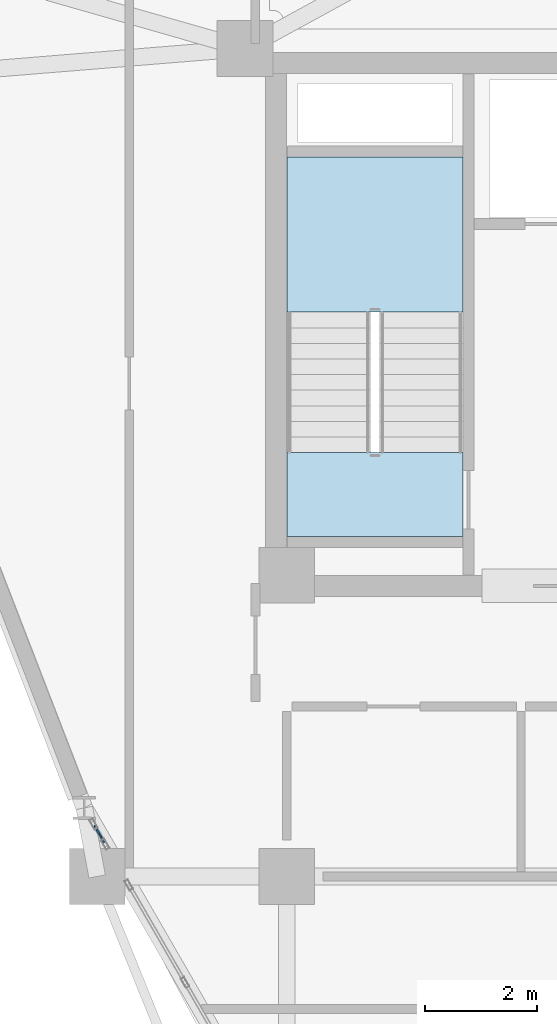
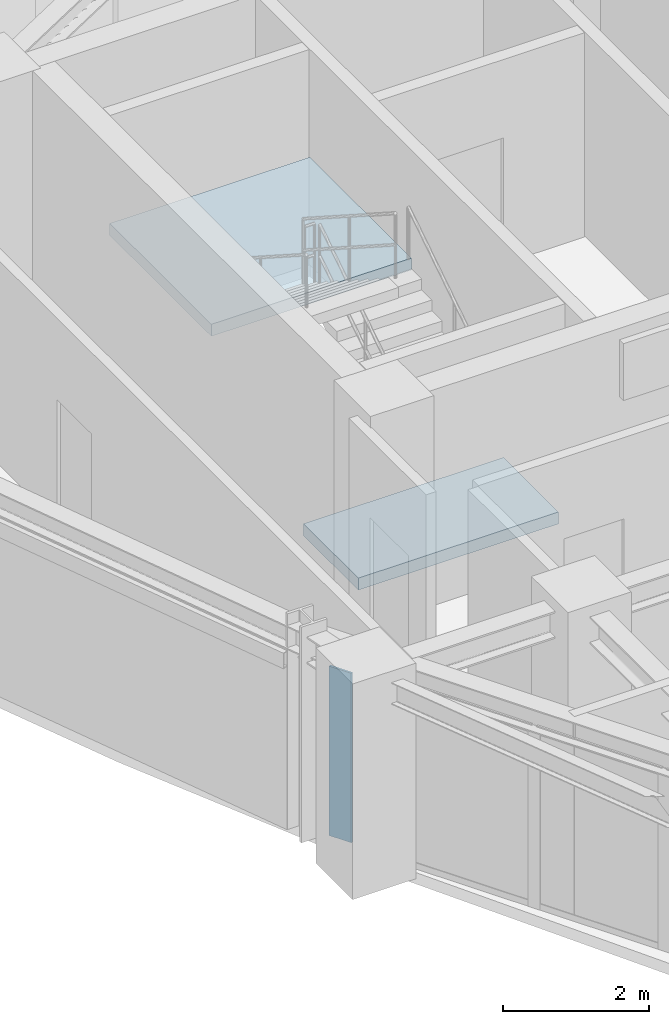
# One storey, part 11 of 16: 2 slabs, 1 plate, 2 elements without a shape of their own.
"""IFC4 building model written with IfcOpenShell, lengths in metres."""

import ifcopenshell
import ifcopenshell.guid

model = None  # the IFC model being written
_history = None  # IfcOwnerHistory: only IFC2X3 demands one
_inside = {}  # id of a spatial element -> (the spatial element, [elements in it])
_under = {}  # id of a project, library or spatial element -> (it, [spatial elements below it])
_declared = {}  # id of a project -> (the project, [libraries it declares])
_typed = {}  # id of a type object -> (the type object, [elements of that type])
_made_of = {}  # id of a material, layer set ... -> (it, [elements and type objects made of it])


def new_model(schema):
    """Start an empty IFC model of exactly this schema.

    Asked for "IFC4X3", IfcOpenShell would pick the latest addendum, in which some entities
    have other attributes; the version numbers below select the first issue.
    IFC2X3 requires an IfcOwnerHistory on every rooted entity: one is made here for all.
    """
    global model, _history
    if schema == "IFC4X3":
        model = ifcopenshell.file(schema_version=(4, 3, 0, 0))
    else:
        model = ifcopenshell.file(schema=schema)
    _inside.clear()
    _under.clear()
    _declared.clear()
    _typed.clear()
    _made_of.clear()
    _history = None
    if model.schema == "IFC2X3":
        org = make("IfcOrganization", Name="unknown")
        user = make(
            "IfcPersonAndOrganization",
            ThePerson=make("IfcPerson", FamilyName="unknown"),
            TheOrganization=org,
        )
        app = make(
            "IfcApplication",
            ApplicationDeveloper=org,
            Version="unknown",
            ApplicationFullName="unknown",
            ApplicationIdentifier="unknown",
        )
        _history = make(
            "IfcOwnerHistory",
            OwningUser=user,
            OwningApplication=app,
            ChangeAction="ADDED",
            CreationDate=0,
        )
    return model


def make(cls, **values):
    """One entity of the class cls with the attributes given. An attribute that is None is left unset."""
    return model.create_entity(
        cls, **{name: value for name, value in values.items() if value is not None}
    )


def rooted(cls, **values):
    """An entity with a GlobalId (a new one), such as an element, a storey or a relation."""
    return make(cls, GlobalId=ifcopenshell.guid.new(), OwnerHistory=_history, **values)


def si_unit(unit_type, name, prefix=None):
    """IfcSIUnit, for example si_unit("LENGTHUNIT", "METRE", prefix="MILLI")."""
    return make("IfcSIUnit", UnitType=unit_type, Prefix=prefix, Name=name)


def derived_unit(unit_type, elements):
    """IfcDerivedUnit: a product of units, each with its exponent."""
    return make(
        "IfcDerivedUnit",
        Elements=[
            make("IfcDerivedUnitElement", Unit=unit, Exponent=power)
            for unit, power in elements
        ],
        UnitType=unit_type,
    )


def assignment(units):
    """IfcUnitAssignment: the units of a project."""
    return None if units is None else make("IfcUnitAssignment", Units=units)


def point(xyz):
    """IfcCartesianPoint."""
    return None if xyz is None else make("IfcCartesianPoint", Coordinates=xyz)


def direction(xyz):
    """IfcDirection."""
    return None if xyz is None else make("IfcDirection", DirectionRatios=xyz)


def frame(location, z_axis=None, x_axis=None):
    """IfcAxis2Placement3D, a coordinate frame: its origin and axes. An axis left out is left unset."""
    return make(
        "IfcAxis2Placement3D",
        Location=point(location),
        Axis=direction(z_axis),
        RefDirection=direction(x_axis),
    )


def frame_2d(location, x_axis=None):
    """IfcAxis2Placement2D, a coordinate frame in the plane: its origin and x axis."""
    return make(
        "IfcAxis2Placement2D", Location=point(location), RefDirection=direction(x_axis)
    )


def origin():
    """The frame at (0, 0, 0) with its axes left unset."""
    return frame((0.0, 0.0, 0.0))


def origin_2d():
    """The frame at (0, 0) in the plane with its x axis left unset."""
    return frame_2d((0.0, 0.0))


def place(relative_to, where):
    """IfcLocalPlacement: puts the frame where relative to a parent placement (None: the world)."""
    return make(
        "IfcLocalPlacement", PlacementRelTo=relative_to, RelativePlacement=where
    )


def context(
    kind, dimensions, precision=None, world=None, true_north=None, identifier=None
):
    """IfcGeometricRepresentationContext, for example the 3D "Model" context."""
    return make(
        "IfcGeometricRepresentationContext",
        ContextIdentifier=identifier,
        ContextType=kind,
        CoordinateSpaceDimension=dimensions,
        Precision=precision,
        WorldCoordinateSystem=world,
        TrueNorth=true_north,
    )


def subcontext(parent, identifier, kind, view, scale=None):
    """IfcGeometricRepresentationSubContext, for example "Body" below "Model"."""
    return make(
        "IfcGeometricRepresentationSubContext",
        ContextIdentifier=identifier,
        ContextType=kind,
        ParentContext=parent,
        TargetScale=scale,
        TargetView=view,
    )


def project(units=None, contexts=None):
    """IfcProject with its units and contexts."""
    return rooted(
        "IfcProject",
        Name="project",
        RepresentationContexts=contexts,
        UnitsInContext=assignment(units),
    )


def spatial(cls, under=None, at=None, **own):
    """A site, building, storey or space (cls), placed at a placement, below another one or the project."""
    s = rooted(cls, ObjectPlacement=at, **own)
    if under is not None:
        _under.setdefault(under.id(), (under, []))[1].append(s)
    return s


def polyline(points):
    """IfcPolyline through the points."""
    return make("IfcPolyline", Points=[point(p) for p in points])


def profile(cls, at=None, kind="AREA", **sizes):
    """A parametric profile (cls). Its sizes go by their IFC names, for example OverallWidth=200.0."""
    return make(cls, ProfileType=kind, Position=at, **sizes)


def rectangle(**sizes):
    """IfcRectangleProfileDef."""
    return profile("IfcRectangleProfileDef", **sizes)


def outline(outer, holes=None, kind="AREA"):
    """IfcArbitraryClosedProfileDef: a profile drawn as a closed curve; with holes, ...WithVoids."""
    if holes is None:
        return make("IfcArbitraryClosedProfileDef", ProfileType=kind, OuterCurve=outer)
    return make(
        "IfcArbitraryProfileDefWithVoids",
        ProfileType=kind,
        OuterCurve=outer,
        InnerCurves=holes,
    )


def extrude(swept, where, along, depth):
    """IfcExtrudedAreaSolid: the profile swept, set in the frame where, extruded along a direction by depth."""
    return make(
        "IfcExtrudedAreaSolid",
        SweptArea=swept,
        Position=where,
        ExtrudedDirection=direction(along),
        Depth=depth,
    )


def shape(context_of_items, identifier, shape_type, items):
    """IfcShapeRepresentation: the items that make up one representation, for example the "Body"."""
    return make(
        "IfcShapeRepresentation",
        ContextOfItems=context_of_items,
        RepresentationIdentifier=identifier,
        RepresentationType=shape_type,
        Items=items,
    )


def source(mapping_origin, context_of_items, identifier, shape_type, items):
    """IfcRepresentationMap: a shape defined once, which mapped items show again and again."""
    return make(
        "IfcRepresentationMap",
        MappingOrigin=mapping_origin,
        MappedRepresentation=shape(context_of_items, identifier, shape_type, items),
    )


def transform(
    local_origin,
    x_axis=None,
    y_axis=None,
    z_axis=None,
    scale=None,
    scale2=None,
    scale3=None,
    uniform=True,
):
    """IfcCartesianTransformationOperator3D, or its non-uniform kind. x_axis, y_axis, z_axis: its Axis1, 2, 3."""
    if uniform:
        return make(
            "IfcCartesianTransformationOperator3D",
            Axis1=direction(x_axis),
            Axis2=direction(y_axis),
            LocalOrigin=point(local_origin),
            Scale=scale,
            Axis3=direction(z_axis),
        )
    return make(
        "IfcCartesianTransformationOperator3DnonUniform",
        Axis1=direction(x_axis),
        Axis2=direction(y_axis),
        LocalOrigin=point(local_origin),
        Scale=scale,
        Axis3=direction(z_axis),
        Scale2=scale2,
        Scale3=scale3,
    )


def mapped(mapping_source, mapping_target):
    """IfcMappedItem: shows the shape of a source again, moved by a transform."""
    return make(
        "IfcMappedItem", MappingSource=mapping_source, MappingTarget=mapping_target
    )


def material(Name=None, Category=None):
    """IfcMaterial."""
    return make("IfcMaterial", Name=Name, Category=Category)


def layer(
    of_material, thickness, ventilated=None, Name=None, Category=None, Priority=None
):
    """IfcMaterialLayer: one layer of a wall or slab, of a material (None: an air gap)."""
    return make(
        "IfcMaterialLayer",
        Material=of_material,
        LayerThickness=thickness,
        IsVentilated=ventilated,
        Name=Name,
        Category=Category,
        Priority=Priority,
    )


def layer_set(layers, Name=None):
    """IfcMaterialLayerSet."""
    return make("IfcMaterialLayerSet", MaterialLayers=layers, LayerSetName=Name)


def made_of(thing, what):
    """Note that an element or type object is made of a material, layer set ...; save() writes the relation."""
    if what is not None:
        _made_of.setdefault(what.id(), (what, []))[1].append(thing)
    return thing


def type_object(cls, material=None, **own):
    """A type object (cls), such as IfcWallType, which elements share."""
    return made_of(rooted(cls, **own), material)


def element(
    cls,
    number,
    at=None,
    inside=None,
    cuts=None,
    type_object=None,
    material=None,
    context=None,
    identifier="Body",
    shape_type=None,
    held_by="IfcProductDefinitionShape",
    body=None,
    shapes=None,
    **own,
):
    """One element of the class cls, such as IfcWall. Its Tag is "e" and its number.

    at: its placement. inside: the storey or other place that contains it. cuts: it is an
    opening in that element (IfcRelVoidsElement). A single representation is given by context,
    identifier, shape_type and body (its items); several are given by shapes. held_by: the class
    of the entity that holds the representations. save() writes the other relations.
    """
    e = rooted(cls, Tag="e%d" % number, ObjectPlacement=at, **own)
    if body is not None:
        shapes = [shape(context, identifier, shape_type, body)]
    if shapes is not None:
        e.Representation = make(held_by, Representations=shapes)
    if inside is not None:
        _inside.setdefault(inside.id(), (inside, []))[1].append(e)
    if cuts is not None:
        rooted(
            "IfcRelVoidsElement", RelatingBuildingElement=cuts, RelatedOpeningElement=e
        )
    if type_object is not None:
        _typed.setdefault(type_object.id(), (type_object, []))[1].append(e)
    return made_of(e, material)


def aggregate(whole, parts):
    """IfcRelAggregates: a whole, such as a stair, and the parts it consists of."""
    return rooted("IfcRelAggregates", RelatingObject=whole, RelatedObjects=parts)


def save(model, path):
    """Write the relations noted so far, then the file.

    IfcRelAggregates (storeys below a building ...), IfcRelContainedInSpatialStructure (elements
    in a storey), IfcRelDefinesByType, IfcRelAssociatesMaterial and IfcRelDeclares: one each for
    every whole, place, type object, material and project.
    """
    for whole, parts in _under.values():
        aggregate(whole, parts)
    for where, things in _inside.values():
        rooted(
            "IfcRelContainedInSpatialStructure",
            RelatedElements=things,
            RelatingStructure=where,
        )
    for kind, things in _typed.values():
        rooted("IfcRelDefinesByType", RelatedObjects=things, RelatingType=kind)
    for what, things in _made_of.values():
        rooted("IfcRelAssociatesMaterial", RelatedObjects=things, RelatingMaterial=what)
    for by, libraries in _declared.values():
        rooted("IfcRelDeclares", RelatingContext=by, RelatedDefinitions=libraries)
    model.write(path)


model = new_model("IFC4")

# Units and contexts
model_context = context("Model", 3, precision=1e-05, world=origin(), true_north=direction((0.0, 1.0)))
body_context = subcontext(model_context, "Body", "Model", "MODEL_VIEW")
ifc_project = project(units=[si_unit("LENGTHUNIT", "METRE"), si_unit("AREAUNIT", "SQUARE_METRE"), si_unit("VOLUMEUNIT", "CUBIC_METRE"), si_unit("PLANEANGLEUNIT", "RADIAN"), si_unit("MASSUNIT", "GRAM", prefix="KILO"), derived_unit("THERMALTRANSMITTANCEUNIT", [(si_unit("POWERUNIT", "WATT"), 1), (si_unit("LENGTHUNIT", "METRE"), -2), (si_unit("THERMODYNAMICTEMPERATUREUNIT", "KELVIN"), -1)])], contexts=[model_context])

# Site, building, storey
site_placement = place(None, origin())
site = spatial("IfcSite", under=ifc_project, at=site_placement, CompositionType="ELEMENT")
building_placement = place(site_placement, origin())
building = spatial("IfcBuilding", under=site, at=building_placement, Name="Korsvarv Bourse and Concert Hall", CompositionType="ELEMENT")
storey_placement = place(building_placement, frame((0.0, 0.0, 227.39990234375)))
storey = spatial("IfcBuildingStorey", under=building, at=storey_placement, Name="L59", CompositionType="ELEMENT", Elevation=227.39990234375)

# Slab
ifc_material_1 = material(Name="Precast concrete C45/55", Category="concrete")
ifc_layer_1 = layer(ifc_material_1, 0.199951171875)
ifc_layer_set_1 = layer_set([ifc_layer_1], Name="Precast concrete C45/55")
slab_type_1 = type_object("IfcSlabType", Name="SLB-FLND-T", PredefinedType="LANDING", material=ifc_layer_set_1)
slab_1_placement = place(storey_placement, frame((0.0, 0.0, -0.199951171875)))
element("IfcSlab", 1, at=slab_1_placement, inside=storey, type_object=slab_type_1, Name="L59 Stair ST-T1 Floor Landing Slab", PredefinedType="LANDING", context=body_context, shape_type="SweptSolid", body=[
    extrude(outline(polyline([(30.760009765625, 38.5), (30.760009765625, 40.0), (27.60009765625, 40.0), (27.60009765625, 38.5), (30.760009765625, 38.5)])), origin(), (0.0, 0.0, 1.0), 0.199951171875),
])

# Stair, slab
stair_type = type_object("IfcStairType", Name="STR-TYPE-04", PredefinedType="HALF_TURN_STAIR", material=ifc_material_1)
stair_placement = place(storey_placement, origin())
stair = element("IfcStair", 2, at=stair_placement, inside=storey, type_object=stair_type, Name="L59 Tower West Exit Stair ST-T1", PredefinedType="HALF_TURN_STAIR")
ifc_layer_2 = layer(ifc_material_1, 0.199951171875)
ifc_layer_set_2 = layer_set([ifc_layer_2], Name="Precast concrete C45/55")
slab_type_2 = type_object("IfcSlabType", Name="SLB-ST-LND", PredefinedType="LANDING", material=ifc_layer_set_2)
slab_2_placement = place(storey_placement, frame((0.0, 0.0, 1.60009765625)))
slab_2 = element("IfcSlab", 3, at=slab_2_placement, type_object=slab_type_2, Name="ST-T1 landing 1", PredefinedType="LANDING", context=body_context, shape_type="SweptSolid", body=[
    extrude(outline(polyline([(30.760009765625, 42.52001953125), (30.760009765625, 45.300048828125), (27.60009765625, 45.300048828125), (27.60009765625, 42.52001953125), (30.760009765625, 42.52001953125)])), origin(), (0.0, 0.0, 1.0), 0.199951171875),
])
aggregate(stair, [slab_2])

# Curtain wall, plate
ifc_material_2 = material(Name="Anodised aluminium and triple low-E glazing", Category="glass")
ifc_layer_3 = layer(ifc_material_2, 0.199951171875)
ifc_layer_set_3 = layer_set([ifc_layer_3], Name="Anodised aluminium and triple low-E glazing")
curtain_wall_type = type_object("IfcCurtainWallType", Name="CW-SYS-3", PredefinedType="NOTDEFINED", material=ifc_layer_set_3)
curtain_wall_placement = place(storey_placement, origin())
curtain_wall = element("IfcCurtainWall", 4, at=curtain_wall_placement, inside=storey, type_object=curtain_wall_type, Name="L59 CW3 curtain wall CW-L59-F07-1", PredefinedType="NOTDEFINED")
ifc_material_3 = material(Name="Insulated spandrel glass", Category="glass")
ifc_layer_4 = layer(ifc_material_3, 0.031982421875)
ifc_layer_set_4 = layer_set([ifc_layer_4], Name="Insulated spandrel glass")
plate_type = type_object("IfcPlateType", Name="CWP-SPD1", PredefinedType="CURTAIN_PANEL", material=ifc_layer_set_4)
shared_shape = source(origin(), body_context, "Body", "SweptSolid", [
    extrude(rectangle(XDim=0.34619140625, YDim=0.031982421875, at=origin_2d()), origin(), (0.0, 0.0, 1.0), 2.830078125),
])
plate_placement = place(storey_placement, frame((24.240478515625, 33.16064453125, 0.06494140625), z_axis=(0.0, 0.0, 1.0), x_axis=(0.499965759325, -0.866045171745, 0.0)))
plate = element("IfcPlate", 5, at=plate_placement, type_object=plate_type, Name="CW3 spandrel shadow-box panel 1.1", PredefinedType="CURTAIN_PANEL", context=body_context, shape_type="MappedRepresentation", body=[
    mapped(shared_shape, transform((0.0, 0.0, 0.0), scale=1.0)),
])
aggregate(curtain_wall, [plate])

save(model, "model.ifc")
